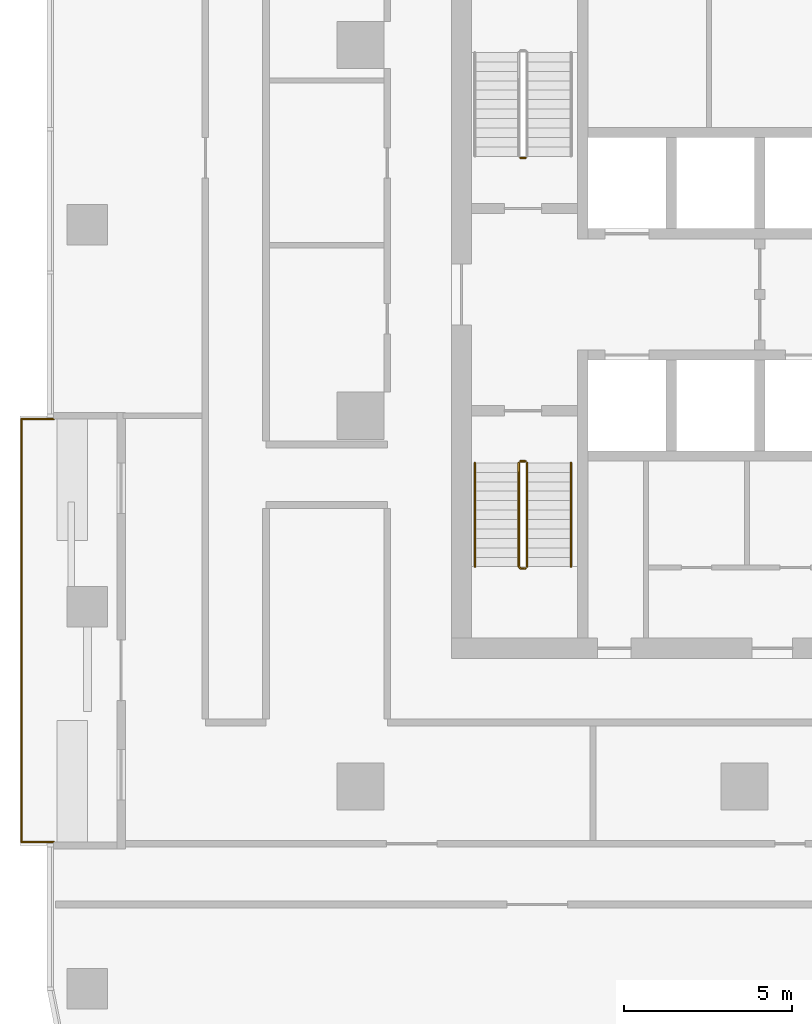
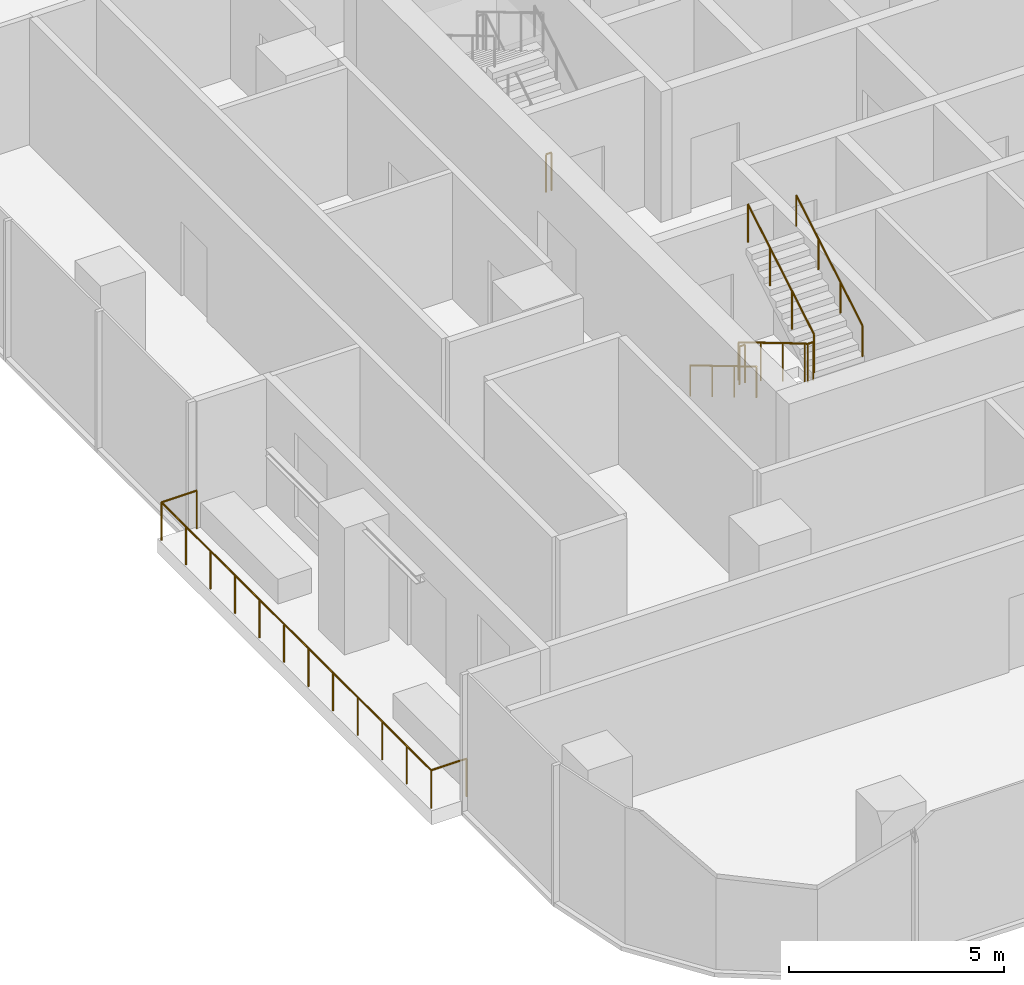
# One storey, part 12 of 14: 7 railings.
"""IFC4 building model written with IfcOpenShell, lengths in metres."""

from ifc_helpers import new_model, si_unit, direction, frame, origin, origin_2d, place, context, subcontext, project, spatial, circle, extrude, material, type_object, element, save


model = new_model("IFC4")

# Units and contexts
model_context = context("Model", 3, precision=1e-05, world=origin(), true_north=direction((0.0, 1.0)))
body_context = subcontext(model_context, "Body", "Model", "MODEL_VIEW")
ifc_project = project(units=[si_unit("LENGTHUNIT", "METRE"), si_unit("AREAUNIT", "SQUARE_METRE"), si_unit("VOLUMEUNIT", "CUBIC_METRE"), si_unit("PLANEANGLEUNIT", "RADIAN"), si_unit("MASSUNIT", "GRAM", prefix="KILO")], contexts=[model_context])

# Site, building, storey
site_placement = place(None, origin())
site = spatial("IfcSite", under=ifc_project, at=site_placement, CompositionType="ELEMENT")
building_placement = place(site_placement, origin())
building = spatial("IfcBuilding", under=site, at=building_placement, Name="Mopane Tessera Tower", CompositionType="ELEMENT")
storey_placement = place(building_placement, frame((0.0, 0.0, 189.0)))
storey = spatial("IfcBuildingStorey", under=building, at=storey_placement, Name="L39", CompositionType="ELEMENT", Elevation=189.0)

# Railings
ifc_material_1 = material(Name="Powder-coated steel balustrade", Category="steel")
railing_type_1 = type_object("IfcRailingType", Name="Escape stair guard 1100 mm", PredefinedType="GUARDRAIL", material=ifc_material_1)
railing_1_placement = place(storey_placement, frame((-12.39990234375, -1.39990234375, 0.166748046875)))
element("IfcRailing", 1, at=railing_1_placement, inside=storey, type_object=railing_type_1, Name="L39 ST1 stair guard 1", PredefinedType="GUARDRAIL", context=body_context, shape_type="SweptSolid", body=[
    extrude(circle(Radius=0.02392578125, at=origin_2d()), frame((0.0, 0.0, 1.076171875), z_axis=(0.0, -0.859308565015, 0.511457515432), x_axis=(1.0, 0.0, 0.0)), (0.0, 0.0, 1.0), 3.58447265625),
    extrude(circle(Radius=0.02392578125, at=origin_2d()), frame((0.0, -3.080078125, 2.9091796875), z_axis=(0.705375805398, -0.708833529934, 0.0), x_axis=(0.708833529934, 0.705375805398, 0.0)), (0.0, 0.0, 1.0), 0.070556640625),
    extrude(circle(Radius=0.02392578125, at=origin_2d()), frame((0.0498046875, -3.130126953125, 2.9091796875), z_axis=(1.0, 0.0, 0.0), x_axis=(0.0, 1.0, 0.0)), (0.0, 0.0, 1.0), 0.150146484375),
    extrude(circle(Radius=0.02099609375, at=origin_2d()), origin(), (0.0, 0.0, 1.0), 1.052001953125),
    extrude(circle(Radius=0.02099609375, at=origin_2d()), frame((0.0, -1.026611328125, 0.611083984375)), (0.0, 0.0, 1.0), 1.052001953125),
    extrude(circle(Radius=0.02099609375, at=origin_2d()), frame((0.0, -2.053466796875, 1.22216796875)), (0.0, 0.0, 1.0), 1.052001953125),
    extrude(circle(Radius=0.02099609375, at=origin_2d()), frame((0.0, -3.080078125, 1.833251953125)), (0.0, 0.0, 1.0), 1.052001953125),
    extrude(circle(Radius=0.02099609375, at=origin_2d()), frame((0.0498046875, -3.130126953125, 1.833251953125)), (0.0, 0.0, 1.0), 1.052001953125),
    extrude(circle(Radius=0.02099609375, at=origin_2d()), frame((0.199951171875, -3.130126953125, 1.833251953125)), (0.0, 0.0, 1.0), 1.052001953125),
])
railing_2_placement = place(storey_placement, frame((-12.14990234375, -4.47998046875, 2.166748046875)))
element("IfcRailing", 2, at=railing_2_placement, inside=storey, type_object=railing_type_1, Name="L39 ST1 stair guard 2", PredefinedType="GUARDRAIL", context=body_context, shape_type="SweptSolid", body=[
    extrude(circle(Radius=0.02392578125, at=origin_2d()), frame((0.0, 0.0, 1.076171875), z_axis=(0.0, 0.859308565015, 0.511457515432), x_axis=(-1.0, 0.0, 0.0)), (0.0, 0.0, 1.0), 3.58447265625),
    extrude(circle(Radius=0.02099609375, at=origin_2d()), origin(), (0.0, 0.0, 1.0), 1.052001953125),
    extrude(circle(Radius=0.02099609375, at=origin_2d()), frame((0.0, 1.026611328125, 0.611083984375)), (0.0, 0.0, 1.0), 1.052001953125),
    extrude(circle(Radius=0.02099609375, at=origin_2d()), frame((0.0, 2.053466796875, 1.22216796875)), (0.0, 0.0, 1.0), 1.052001953125),
    extrude(circle(Radius=0.02099609375, at=origin_2d()), frame((0.0, 3.080078125, 1.833251953125)), (0.0, 0.0, 1.0), 1.052001953125),
])
railing_3_placement = place(storey_placement, frame((-12.35009765625, -1.35009765625, 0.0)))
element("IfcRailing", 3, at=railing_3_placement, inside=storey, type_object=railing_type_1, Name="L39 ST1 stair guard 3", PredefinedType="GUARDRAIL", context=body_context, shape_type="SweptSolid", body=[
    extrude(circle(Radius=0.02392578125, at=origin_2d()), frame((0.0, 0.0, 1.076171875), z_axis=(1.0, 0.0, 0.0), x_axis=(0.0, 1.0, 0.0)), (0.0, 0.0, 1.0), 0.150146484375),
    extrude(circle(Radius=0.02099609375, at=origin_2d()), origin(), (0.0, 0.0, 1.0), 1.052001953125),
    extrude(circle(Radius=0.02099609375, at=origin_2d()), frame((0.150146484375, 0.0, 0.0)), (0.0, 0.0, 1.0), 1.052001953125),
])
railing_4_placement = place(storey_placement, frame((-12.199951171875, 7.64990234375, 0.0)))
element("IfcRailing", 4, at=railing_4_placement, inside=storey, type_object=railing_type_1, Name="L39 ST2 stair guard 3", PredefinedType="GUARDRAIL", context=body_context, shape_type="SweptSolid", body=[
    extrude(circle(Radius=0.02392578125, at=origin_2d()), frame((0.0, 0.0, 1.076171875), z_axis=(-1.0, 0.0, 0.0), x_axis=(0.0, -1.0, 0.0)), (0.0, 0.0, 1.0), 0.150146484375),
    extrude(circle(Radius=0.02099609375, at=origin_2d()), origin(), (0.0, 0.0, 1.0), 1.052001953125),
    extrude(circle(Radius=0.02099609375, at=origin_2d()), frame((-0.150146484375, 0.0, 0.0)), (0.0, 0.0, 1.0), 1.052001953125),
])
ifc_material_2 = material(Name="Powder-coated steel balustrade", Category="steel")
railing_type_2 = type_object("IfcRailingType", Name="Escape stair handrail 900 mm", PredefinedType="HANDRAIL", material=ifc_material_2)
railing_5_placement = place(storey_placement, frame((-13.699951171875, -1.39990234375, 0.166748046875)))
element("IfcRailing", 5, at=railing_5_placement, inside=storey, type_object=railing_type_2, Name="L39 ST1 stair handrail 1", PredefinedType="HANDRAIL", context=body_context, shape_type="SweptSolid", body=[
    extrude(circle(Radius=0.02392578125, at=origin_2d()), frame((0.0, 0.0, 0.8759765625), z_axis=(0.0, -0.859308565015, 0.511457515432), x_axis=(1.0, 0.0, 0.0)), (0.0, 0.0, 1.0), 3.58447265625),
    extrude(circle(Radius=0.02099609375, at=origin_2d()), origin(), (0.0, 0.0, 1.0), 0.851806640625),
    extrude(circle(Radius=0.02099609375, at=origin_2d()), frame((0.0, -1.026611328125, 0.611083984375)), (0.0, 0.0, 1.0), 0.851806640625),
    extrude(circle(Radius=0.02099609375, at=origin_2d()), frame((0.0, -2.053466796875, 1.22216796875)), (0.0, 0.0, 1.0), 0.851806640625),
    extrude(circle(Radius=0.02099609375, at=origin_2d()), frame((0.0, -3.080078125, 1.833251953125)), (0.0, 0.0, 1.0), 0.851806640625),
])
railing_6_placement = place(storey_placement, frame((-10.85009765625, -4.47998046875, 2.166748046875)))
element("IfcRailing", 6, at=railing_6_placement, inside=storey, type_object=railing_type_2, Name="L39 ST1 stair handrail 2", PredefinedType="HANDRAIL", context=body_context, shape_type="SweptSolid", body=[
    extrude(circle(Radius=0.02392578125, at=origin_2d()), frame((0.0, 0.0, 0.8759765625), z_axis=(0.0, 0.859308565015, 0.511457515432), x_axis=(-1.0, 0.0, 0.0)), (0.0, 0.0, 1.0), 3.58447265625),
    extrude(circle(Radius=0.02099609375, at=origin_2d()), origin(), (0.0, 0.0, 1.0), 0.851806640625),
    extrude(circle(Radius=0.02099609375, at=origin_2d()), frame((0.0, 1.026611328125, 0.611083984375)), (0.0, 0.0, 1.0), 0.851806640625),
    extrude(circle(Radius=0.02099609375, at=origin_2d()), frame((0.0, 2.053466796875, 1.22216796875)), (0.0, 0.0, 1.0), 0.851806640625),
    extrude(circle(Radius=0.02099609375, at=origin_2d()), frame((0.0, 3.080078125, 1.833251953125)), (0.0, 0.0, 1.0), 0.851806640625),
])
ifc_material_3 = material(Name="Stainless steel S316", Category="steel")
railing_type_3 = type_object("IfcRailingType", Name="Terrace guard 1100", PredefinedType="GUARDRAIL", material=ifc_material_3)
railing_7_placement = place(storey_placement, frame((-26.199951171875, -0.10009765625, 0.0)))
element("IfcRailing", 7, at=railing_7_placement, inside=storey, type_object=railing_type_3, Name="e:nw:L39:N1:guard", PredefinedType="GUARDRAIL", context=body_context, shape_type="SweptSolid", body=[
    extrude(circle(Radius=0.02392578125, at=origin_2d()), frame((0.0, 0.0, 1.076171875), z_axis=(-1.0, 0.0, 0.0), x_axis=(0.0, -1.0, 0.0)), (0.0, 0.0, 1.0), 0.949951171875),
    extrude(circle(Radius=0.02392578125, at=origin_2d()), frame((-0.949951171875, 0.0, 1.076171875), z_axis=(0.0, -1.0, 0.0), x_axis=(1.0, 0.0, 0.0)), (0.0, 0.0, 1.0), 12.5498046875),
    extrude(circle(Radius=0.02392578125, at=origin_2d()), frame((-0.949951171875, -12.5498046875, 1.076171875), z_axis=(1.0, 0.0, 0.0), x_axis=(0.0, 1.0, 0.0)), (0.0, 0.0, 1.0), 0.949951171875),
    extrude(circle(Radius=0.02099609375, at=origin_2d()), origin(), (0.0, 0.0, 1.0), 1.052001953125),
    extrude(circle(Radius=0.02099609375, at=origin_2d()), frame((-0.949951171875, 0.0, 0.0)), (0.0, 0.0, 1.0), 1.052001953125),
    extrude(circle(Radius=0.02099609375, at=origin_2d()), frame((-0.949951171875, -1.140869140625, 0.0)), (0.0, 0.0, 1.0), 1.052001953125),
    extrude(circle(Radius=0.02099609375, at=origin_2d()), frame((-0.949951171875, -2.28173828125, 0.0)), (0.0, 0.0, 1.0), 1.052001953125),
    extrude(circle(Radius=0.02099609375, at=origin_2d()), frame((-0.949951171875, -3.422607421875, 0.0)), (0.0, 0.0, 1.0), 1.052001953125),
    extrude(circle(Radius=0.02099609375, at=origin_2d()), frame((-0.949951171875, -4.5634765625, 0.0)), (0.0, 0.0, 1.0), 1.052001953125),
    extrude(circle(Radius=0.02099609375, at=origin_2d()), frame((-0.949951171875, -5.704345703125, 0.0)), (0.0, 0.0, 1.0), 1.052001953125),
    extrude(circle(Radius=0.02099609375, at=origin_2d()), frame((-0.949951171875, -6.845458984375, 0.0)), (0.0, 0.0, 1.0), 1.052001953125),
    extrude(circle(Radius=0.02099609375, at=origin_2d()), frame((-0.949951171875, -7.986328125, 0.0)), (0.0, 0.0, 1.0), 1.052001953125),
    extrude(circle(Radius=0.02099609375, at=origin_2d()), frame((-0.949951171875, -9.127197265625, 0.0)), (0.0, 0.0, 1.0), 1.052001953125),
    extrude(circle(Radius=0.02099609375, at=origin_2d()), frame((-0.949951171875, -10.26806640625, 0.0)), (0.0, 0.0, 1.0), 1.052001953125),
    extrude(circle(Radius=0.02099609375, at=origin_2d()), frame((-0.949951171875, -11.408935546875, 0.0)), (0.0, 0.0, 1.0), 1.052001953125),
    extrude(circle(Radius=0.02099609375, at=origin_2d()), frame((-0.949951171875, -12.5498046875, 0.0)), (0.0, 0.0, 1.0), 1.052001953125),
    extrude(circle(Radius=0.02099609375, at=origin_2d()), frame((0.0, -12.5498046875, 0.0)), (0.0, 0.0, 1.0), 1.052001953125),
])

save(model, "model.ifc")
